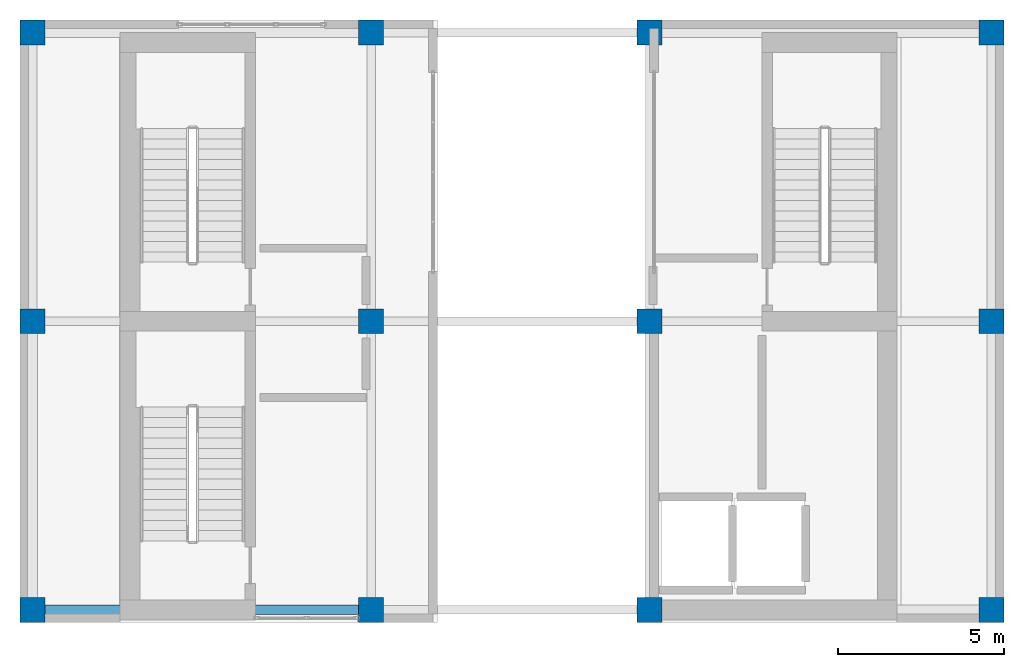
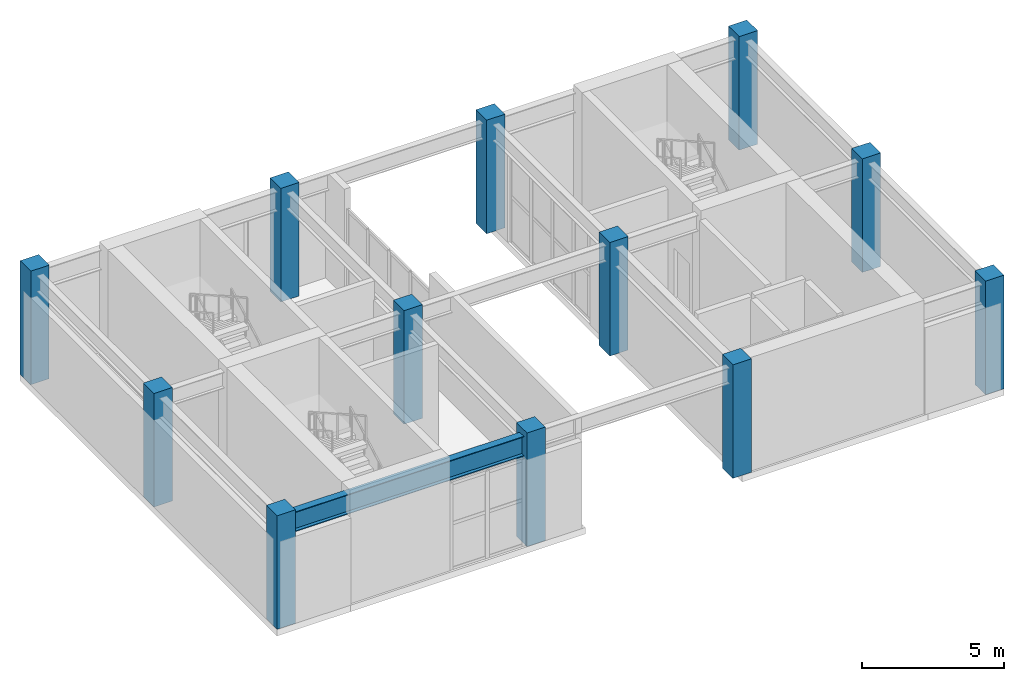
# One storey, part 1 of 11: 12 columns, 1 beam.
"""IFC4 building model written with IfcOpenShell, lengths in metres."""

from ifc_helpers import new_model, si_unit, direction, frame, origin, origin_2d, place, context, subcontext, project, spatial, rectangle, i_section, extrude, material, material_profile, profile_set, type_object, element, save


model = new_model("IFC4")

# Units and contexts
model_context = context("Model", 3, precision=1e-05, world=origin(), true_north=direction((0.0, 1.0)))
body_context = subcontext(model_context, "Body", "Model", "MODEL_VIEW")
ifc_project = project(units=[si_unit("LENGTHUNIT", "METRE"), si_unit("AREAUNIT", "SQUARE_METRE"), si_unit("VOLUMEUNIT", "CUBIC_METRE"), si_unit("PLANEANGLEUNIT", "RADIAN"), si_unit("MASSUNIT", "GRAM", prefix="KILO")], contexts=[model_context])

# Site, building, storey
site_placement = place(None, origin())
site = spatial("IfcSite", under=ifc_project, at=site_placement, CompositionType="ELEMENT")
building_placement = place(site_placement, origin())
building = spatial("IfcBuilding", under=site, at=building_placement, Name="Solanera Arch Residences", CompositionType="ELEMENT")
storey_placement = place(building_placement, frame((0.0, 0.0, 287.8798828125)))
storey = spatial("IfcBuildingStorey", under=building, at=storey_placement, Name="L82", CompositionType="ELEMENT", Elevation=287.8798828125)

# Columns
ifc_material_1 = material(Name="Concrete C40/50 (f'c = 45 MPa)", Category="concrete")
ifc_material_profile_1 = material_profile(ifc_material_1, rectangle(XDim=0.75, YDim=0.75, at=origin_2d()))
ifc_profile_set_1 = profile_set([ifc_material_profile_1], Name="Concrete C40/50 (f'c = 45 MPa)")
column_type = type_object("IfcColumnType", Name="Structural Column RC-COL-750X750", PredefinedType="COLUMN", material=ifc_profile_set_1)
for number, where, z_axis, x_axis, name in (
    (1, (20.800048828125, 30.699951171875, 0.0), (0.0, 0.0, 1.0), (1.0, 0.0, 0.0), "COL-L82-CORE-W"),
    (2, (29.199951171875, 30.699951171875, 0.0), (0.0, 0.0, 1.0), (1.0, 0.0, 0.0), "COL-L82-CORE-E"),
    (3, (10.60009765625, 22.0, 0.0), (0.0, 0.0, 1.0), (1.0, 0.0, 0.0), "COL-L82-CRN-01"),
    (4, (20.800048828125, 22.0, 0.0), (0.0, 0.0, 1.0), (1.0, 0.0, 0.0), "COL-L82-CRN-02"),
    (5, (10.60009765625, 30.699951171875, 0.0), (0.0, 0.0, 1.0), (1.0, 0.0, 0.0), "COL-L82-CRN-03"),
    (6, (10.60009765625, 39.39990234375, 0.0), (0.0, 0.0, 1.0), (1.0, 0.0, 0.0), "COL-L82-CRN-04"),
    (7, (20.800048828125, 39.39990234375, 0.0), (0.0, 0.0, 1.0), (1.0, 0.0, 0.0), "COL-L82-CRN-05"),
    (8, (29.199951171875, 22.0, 0.0), (0.0, 0.0, 1.0), (1.0, 0.0, 0.0), "COL-L82-CRN-06"),
    (9, (39.5, 22.0, 0.0), (0.0, 0.0, 1.0), (1.0, 0.0, 0.0), "COL-L82-CRN-07"),
    (10, (39.5, 30.699951171875, 0.0), (0.0, 0.0, 1.0), (1.0, 0.0, 0.0), "COL-L82-CRN-08"),
    (11, (29.199951171875, 39.39990234375, 0.0), (0.0, 0.0, 1.0), (1.0, 0.0, 0.0), "COL-L82-CRN-09"),
    (12, (39.5, 39.39990234375, 0.0), (0.0, 0.0, 1.0), (1.0, 0.0, 0.0), "COL-L82-CRN-10"),
):
    element("IfcColumn", number, at=place(storey_placement, frame(where, z_axis=z_axis, x_axis=x_axis)), inside=storey, type_object=column_type, Name=name, PredefinedType="COLUMN", context=body_context, shape_type="SweptSolid", body=[
        extrude(rectangle(XDim=0.75, YDim=0.75, at=origin_2d()), origin(), (0.0, 0.0, 1.0), 4.900146484375),
    ])

# Beam
ifc_material_2 = material(Name="Steel S355 (ASTM A992 / A572 Grade 50)", Category="steel")
ifc_material_profile_2 = material_profile(ifc_material_2, i_section(OverallWidth=0.2939453125, OverallDepth=0.85107421875, WebThickness=0.01611328125, FlangeThickness=0.02685546875, at=origin_2d()))
ifc_profile_set_2 = profile_set([ifc_material_profile_2], Name="Steel S355 (ASTM A992 / A572 Grade 50)")
beam_type = type_object("IfcBeamType", Name="Primary Beam W840X226", PredefinedType="BEAM", material=ifc_profile_set_2)
beam_placement = place(storey_placement, frame((10.97509765625, 22.0, 4.195068359375), z_axis=(1.0, 0.0, 0.0), x_axis=(0.0, 1.0, 0.0)))
element("IfcBeam", 13, at=beam_placement, inside=storey, type_object=beam_type, Name="BM-L82-CR-WS", PredefinedType="BEAM", context=body_context, shape_type="SweptSolid", body=[
    extrude(i_section(OverallWidth=0.2939453125, OverallDepth=0.85107421875, WebThickness=0.01611328125, FlangeThickness=0.02685546875, at=origin_2d()), origin(), (0.0, 0.0, 1.0), 9.449951171875),
])

save(model, "model.ifc")
